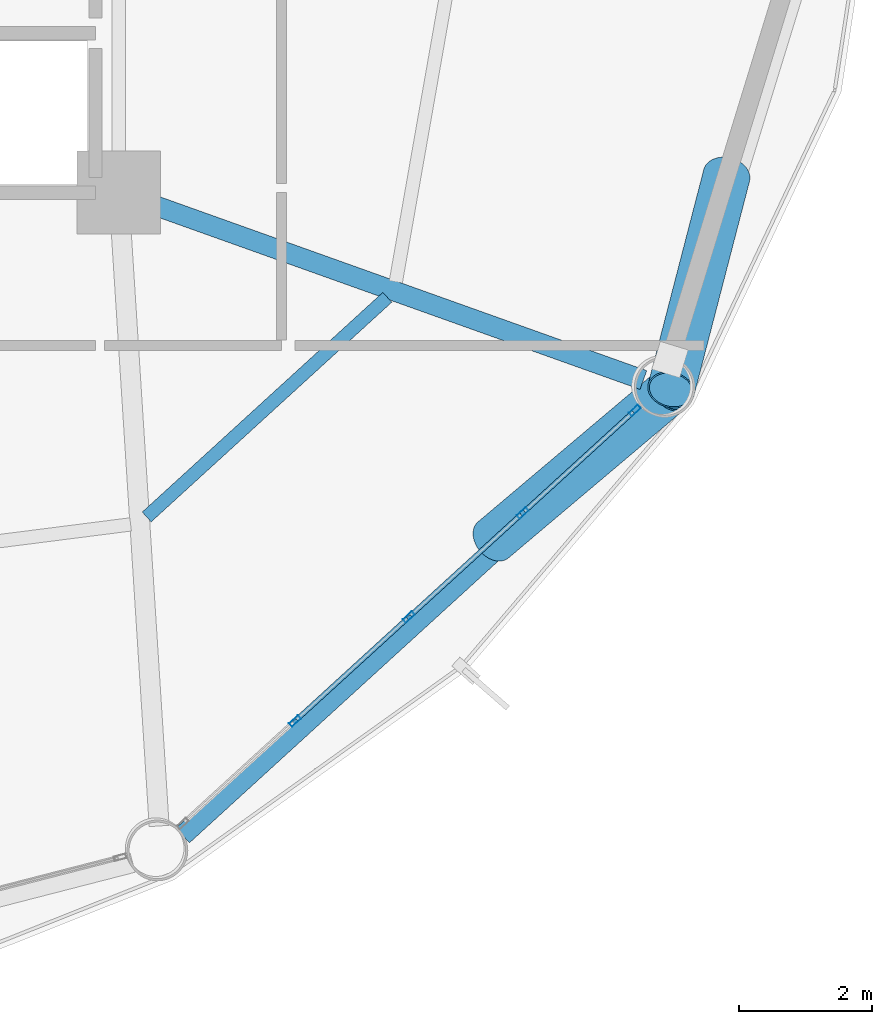
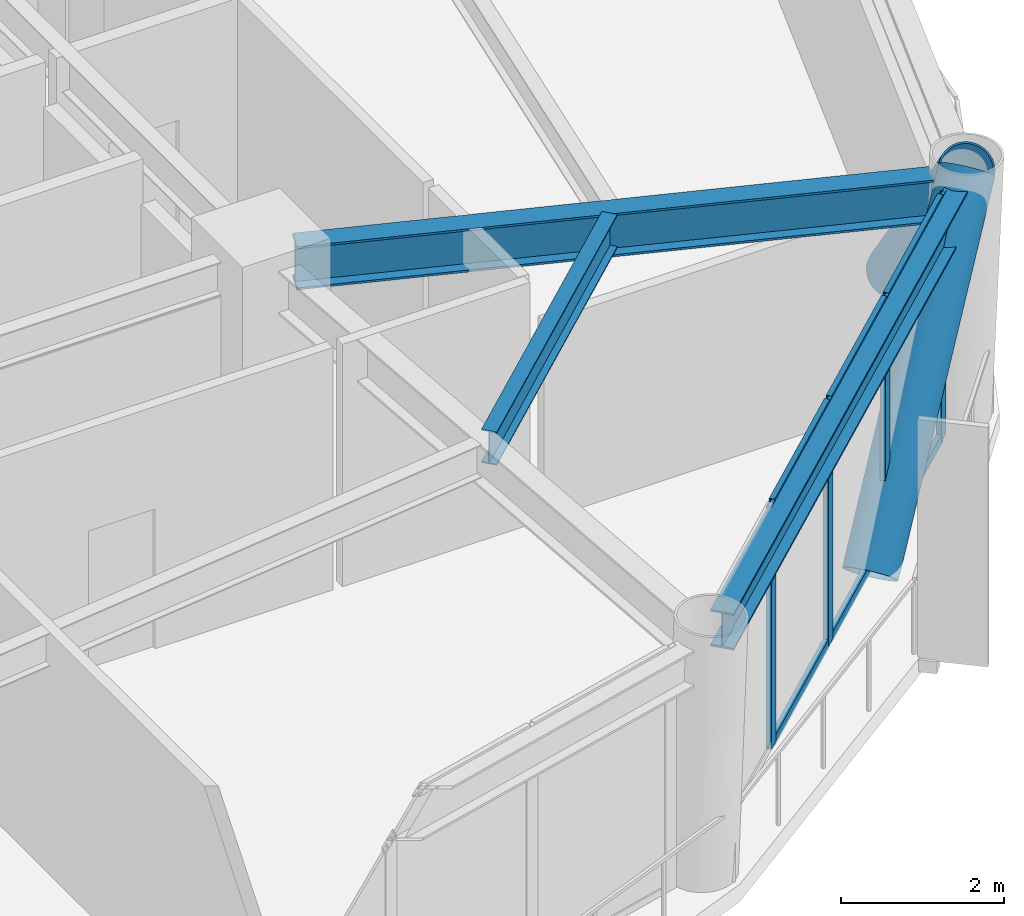
# One storey, part 14 of 26: 12 members, 3 beams, 1 element without a shape of its own.
"""IFC4 building model written with IfcOpenShell, lengths in metres."""

import ifcopenshell
import ifcopenshell.guid

model = None  # the IFC model being written
_history = None  # IfcOwnerHistory: only IFC2X3 demands one
_inside = {}  # id of a spatial element -> (the spatial element, [elements in it])
_under = {}  # id of a project, library or spatial element -> (it, [spatial elements below it])
_declared = {}  # id of a project -> (the project, [libraries it declares])
_typed = {}  # id of a type object -> (the type object, [elements of that type])
_made_of = {}  # id of a material, layer set ... -> (it, [elements and type objects made of it])


def new_model(schema):
    """Start an empty IFC model of exactly this schema.

    Asked for "IFC4X3", IfcOpenShell would pick the latest addendum, in which some entities
    have other attributes; the version numbers below select the first issue.
    IFC2X3 requires an IfcOwnerHistory on every rooted entity: one is made here for all.
    """
    global model, _history
    if schema == "IFC4X3":
        model = ifcopenshell.file(schema_version=(4, 3, 0, 0))
    else:
        model = ifcopenshell.file(schema=schema)
    _inside.clear()
    _under.clear()
    _declared.clear()
    _typed.clear()
    _made_of.clear()
    _history = None
    if model.schema == "IFC2X3":
        org = make("IfcOrganization", Name="unknown")
        user = make(
            "IfcPersonAndOrganization",
            ThePerson=make("IfcPerson", FamilyName="unknown"),
            TheOrganization=org,
        )
        app = make(
            "IfcApplication",
            ApplicationDeveloper=org,
            Version="unknown",
            ApplicationFullName="unknown",
            ApplicationIdentifier="unknown",
        )
        _history = make(
            "IfcOwnerHistory",
            OwningUser=user,
            OwningApplication=app,
            ChangeAction="ADDED",
            CreationDate=0,
        )
    return model


def make(cls, **values):
    """One entity of the class cls with the attributes given. An attribute that is None is left unset."""
    return model.create_entity(
        cls, **{name: value for name, value in values.items() if value is not None}
    )


def rooted(cls, **values):
    """An entity with a GlobalId (a new one), such as an element, a storey or a relation."""
    return make(cls, GlobalId=ifcopenshell.guid.new(), OwnerHistory=_history, **values)


def si_unit(unit_type, name, prefix=None):
    """IfcSIUnit, for example si_unit("LENGTHUNIT", "METRE", prefix="MILLI")."""
    return make("IfcSIUnit", UnitType=unit_type, Prefix=prefix, Name=name)


def assignment(units):
    """IfcUnitAssignment: the units of a project."""
    return None if units is None else make("IfcUnitAssignment", Units=units)


def point(xyz):
    """IfcCartesianPoint."""
    return None if xyz is None else make("IfcCartesianPoint", Coordinates=xyz)


def direction(xyz):
    """IfcDirection."""
    return None if xyz is None else make("IfcDirection", DirectionRatios=xyz)


def frame(location, z_axis=None, x_axis=None):
    """IfcAxis2Placement3D, a coordinate frame: its origin and axes. An axis left out is left unset."""
    return make(
        "IfcAxis2Placement3D",
        Location=point(location),
        Axis=direction(z_axis),
        RefDirection=direction(x_axis),
    )


def frame_2d(location, x_axis=None):
    """IfcAxis2Placement2D, a coordinate frame in the plane: its origin and x axis."""
    return make(
        "IfcAxis2Placement2D", Location=point(location), RefDirection=direction(x_axis)
    )


def origin():
    """The frame at (0, 0, 0) with its axes left unset."""
    return frame((0.0, 0.0, 0.0))


def origin_2d():
    """The frame at (0, 0) in the plane with its x axis left unset."""
    return frame_2d((0.0, 0.0))


def place(relative_to, where):
    """IfcLocalPlacement: puts the frame where relative to a parent placement (None: the world)."""
    return make(
        "IfcLocalPlacement", PlacementRelTo=relative_to, RelativePlacement=where
    )


def context(
    kind, dimensions, precision=None, world=None, true_north=None, identifier=None
):
    """IfcGeometricRepresentationContext, for example the 3D "Model" context."""
    return make(
        "IfcGeometricRepresentationContext",
        ContextIdentifier=identifier,
        ContextType=kind,
        CoordinateSpaceDimension=dimensions,
        Precision=precision,
        WorldCoordinateSystem=world,
        TrueNorth=true_north,
    )


def subcontext(parent, identifier, kind, view, scale=None):
    """IfcGeometricRepresentationSubContext, for example "Body" below "Model"."""
    return make(
        "IfcGeometricRepresentationSubContext",
        ContextIdentifier=identifier,
        ContextType=kind,
        ParentContext=parent,
        TargetScale=scale,
        TargetView=view,
    )


def project(units=None, contexts=None):
    """IfcProject with its units and contexts."""
    return rooted(
        "IfcProject",
        Name="project",
        RepresentationContexts=contexts,
        UnitsInContext=assignment(units),
    )


def spatial(cls, under=None, at=None, **own):
    """A site, building, storey or space (cls), placed at a placement, below another one or the project."""
    s = rooted(cls, ObjectPlacement=at, **own)
    if under is not None:
        _under.setdefault(under.id(), (under, []))[1].append(s)
    return s


def profile(cls, at=None, kind="AREA", **sizes):
    """A parametric profile (cls). Its sizes go by their IFC names, for example OverallWidth=200.0."""
    return make(cls, ProfileType=kind, Position=at, **sizes)


def hollow_rectangle(**sizes):
    """IfcRectangleHollowProfileDef."""
    return profile("IfcRectangleHollowProfileDef", **sizes)


def hollow_circle(**sizes):
    """IfcCircleHollowProfileDef."""
    return profile("IfcCircleHollowProfileDef", **sizes)


def i_section(**sizes):
    """IfcIShapeProfileDef."""
    return profile("IfcIShapeProfileDef", **sizes)


def extrude(swept, where, along, depth):
    """IfcExtrudedAreaSolid: the profile swept, set in the frame where, extruded along a direction by depth."""
    return make(
        "IfcExtrudedAreaSolid",
        SweptArea=swept,
        Position=where,
        ExtrudedDirection=direction(along),
        Depth=depth,
    )


def shape(context_of_items, identifier, shape_type, items):
    """IfcShapeRepresentation: the items that make up one representation, for example the "Body"."""
    return make(
        "IfcShapeRepresentation",
        ContextOfItems=context_of_items,
        RepresentationIdentifier=identifier,
        RepresentationType=shape_type,
        Items=items,
    )


def material(Name=None, Category=None):
    """IfcMaterial."""
    return make("IfcMaterial", Name=Name, Category=Category)


def layer(
    of_material, thickness, ventilated=None, Name=None, Category=None, Priority=None
):
    """IfcMaterialLayer: one layer of a wall or slab, of a material (None: an air gap)."""
    return make(
        "IfcMaterialLayer",
        Material=of_material,
        LayerThickness=thickness,
        IsVentilated=ventilated,
        Name=Name,
        Category=Category,
        Priority=Priority,
    )


def layer_set(layers, Name=None):
    """IfcMaterialLayerSet."""
    return make("IfcMaterialLayerSet", MaterialLayers=layers, LayerSetName=Name)


def material_profile(
    of_material, cross_section, Name=None, Category=None, Priority=None
):
    """IfcMaterialProfile: a cross section and its material."""
    return make(
        "IfcMaterialProfile",
        Name=Name,
        Material=of_material,
        Profile=cross_section,
        Priority=Priority,
        Category=Category,
    )


def profile_set(profiles, Name=None, composite=None):
    """IfcMaterialProfileSet."""
    return make(
        "IfcMaterialProfileSet",
        Name=Name,
        MaterialProfiles=profiles,
        CompositeProfile=composite,
    )


def made_of(thing, what):
    """Note that an element or type object is made of a material, layer set ...; save() writes the relation."""
    if what is not None:
        _made_of.setdefault(what.id(), (what, []))[1].append(thing)
    return thing


def type_object(cls, material=None, **own):
    """A type object (cls), such as IfcWallType, which elements share."""
    return made_of(rooted(cls, **own), material)


def element(
    cls,
    number,
    at=None,
    inside=None,
    cuts=None,
    type_object=None,
    material=None,
    context=None,
    identifier="Body",
    shape_type=None,
    held_by="IfcProductDefinitionShape",
    body=None,
    shapes=None,
    **own,
):
    """One element of the class cls, such as IfcWall. Its Tag is "e" and its number.

    at: its placement. inside: the storey or other place that contains it. cuts: it is an
    opening in that element (IfcRelVoidsElement). A single representation is given by context,
    identifier, shape_type and body (its items); several are given by shapes. held_by: the class
    of the entity that holds the representations. save() writes the other relations.
    """
    e = rooted(cls, Tag="e%d" % number, ObjectPlacement=at, **own)
    if body is not None:
        shapes = [shape(context, identifier, shape_type, body)]
    if shapes is not None:
        e.Representation = make(held_by, Representations=shapes)
    if inside is not None:
        _inside.setdefault(inside.id(), (inside, []))[1].append(e)
    if cuts is not None:
        rooted(
            "IfcRelVoidsElement", RelatingBuildingElement=cuts, RelatedOpeningElement=e
        )
    if type_object is not None:
        _typed.setdefault(type_object.id(), (type_object, []))[1].append(e)
    return made_of(e, material)


def aggregate(whole, parts):
    """IfcRelAggregates: a whole, such as a stair, and the parts it consists of."""
    return rooted("IfcRelAggregates", RelatingObject=whole, RelatedObjects=parts)


def save(model, path):
    """Write the relations noted so far, then the file.

    IfcRelAggregates (storeys below a building ...), IfcRelContainedInSpatialStructure (elements
    in a storey), IfcRelDefinesByType, IfcRelAssociatesMaterial and IfcRelDeclares: one each for
    every whole, place, type object, material and project.
    """
    for whole, parts in _under.values():
        aggregate(whole, parts)
    for where, things in _inside.values():
        rooted(
            "IfcRelContainedInSpatialStructure",
            RelatedElements=things,
            RelatingStructure=where,
        )
    for kind, things in _typed.values():
        rooted("IfcRelDefinesByType", RelatedObjects=things, RelatingType=kind)
    for what, things in _made_of.values():
        rooted("IfcRelAssociatesMaterial", RelatedObjects=things, RelatingMaterial=what)
    for by, libraries in _declared.values():
        rooted("IfcRelDeclares", RelatingContext=by, RelatedDefinitions=libraries)
    model.write(path)


model = new_model("IFC4")

# Units and contexts
model_context = context("Model", 3, precision=1e-05, world=origin(), true_north=direction((0.0, 1.0)))
body_context = subcontext(model_context, "Body", "Model", "MODEL_VIEW")
ifc_project = project(units=[si_unit("LENGTHUNIT", "METRE"), si_unit("AREAUNIT", "SQUARE_METRE"), si_unit("VOLUMEUNIT", "CUBIC_METRE"), si_unit("PLANEANGLEUNIT", "RADIAN"), si_unit("MASSUNIT", "GRAM", prefix="KILO")], contexts=[model_context])

# Site, building, storey
site_placement = place(None, origin())
site = spatial("IfcSite", under=ifc_project, at=site_placement, CompositionType="ELEMENT")
building_placement = place(site_placement, origin())
building = spatial("IfcBuilding", under=site, at=building_placement, Name="Varnakorn Sky Granary", CompositionType="ELEMENT")
storey_placement = place(building_placement, frame((0.0, 0.0, 47.10009765625)))
storey = spatial("IfcBuildingStorey", under=building, at=storey_placement, Name="L11", CompositionType="ELEMENT", Elevation=47.10009765625)

# Beams
ifc_material_1 = material(Name="Steel S355JR", Category="steel")
ifc_material_profile_1 = material_profile(ifc_material_1, i_section(OverallWidth=0.300048828125, OverallDepth=0.64990234375, WebThickness=0.01611328125, FlangeThickness=0.031005859375, at=origin_2d()), Name="HE 650 B")
ifc_profile_set_1 = profile_set([ifc_material_profile_1], Name="Steel S355JR")
beam_type_1 = type_object("IfcBeamType", Name="BM-RAD-Z1", PredefinedType="BEAM", material=ifc_profile_set_1)
beam_1_placement = place(storey_placement, frame((8.74560546875, -6.7412109375, 3.31494140625), z_axis=(0.941737750952, -0.336348046571, 0.0), x_axis=(0.336348046571, 0.941737750952, 0.0)))
element("IfcBeam", 1, at=beam_1_placement, inside=storey, type_object=beam_type_1, Name="Radial Floor Girder RG12 L11", PredefinedType="BEAM", context=body_context, shape_type="SweptSolid", body=[
    extrude(i_section(OverallWidth=0.300048828125, OverallDepth=0.64990234375, WebThickness=0.01611328125, FlangeThickness=0.031005859375, at=origin_2d()), origin(), (0.0, 0.0, 1.0), 7.965576171875),
])
ifc_material_profile_2 = material_profile(ifc_material_1, i_section(OverallWidth=0.199951171875, OverallDepth=0.5, WebThickness=0.01025390625, FlangeThickness=0.01611328125, at=origin_2d()), Name="IPE 500")
ifc_profile_set_2 = profile_set([ifc_material_profile_2], Name="Steel S355JR")
beam_type_2 = type_object("IfcBeamType", Name="BM-SEC-Z1", PredefinedType="BEAM", material=ifc_profile_set_2)
beam_2_placement = place(storey_placement, frame((8.77099609375, -11.481689453125, 3.389892578125), z_axis=(0.738535069927, 0.674215062489, 0.0), x_axis=(-0.674215062489, 0.738535069927, 0.0)))
element("IfcBeam", 2, at=beam_2_placement, inside=storey, type_object=beam_type_2, Name="Secondary Floor Chord Beam MSB11 L11", PredefinedType="BEAM", context=body_context, shape_type="SweptSolid", body=[
    extrude(i_section(OverallWidth=0.199951171875, OverallDepth=0.5, WebThickness=0.01025390625, FlangeThickness=0.01611328125, at=origin_2d()), origin(), (0.0, 0.0, 1.0), 4.904052734375),
])
ifc_material_profile_3 = material_profile(ifc_material_1, i_section(OverallWidth=0.300048828125, OverallDepth=0.550048828125, WebThickness=0.014892578125, FlangeThickness=0.029052734375, at=origin_2d()), Name="HE 550 B")
ifc_profile_set_3 = profile_set([ifc_material_profile_3], Name="Steel S355JR")
beam_type_3 = type_object("IfcBeamType", Name="BM-SPD-Z1", PredefinedType="SPANDREL", material=ifc_profile_set_3)
beam_3_placement = place(storey_placement, frame((9.31298828125, -16.276123046875, 3.364990234375), z_axis=(0.73868168788, 0.674054422129, 0.0), x_axis=(-0.674054422129, 0.73868168788, 0.0)))
element("IfcBeam", 3, at=beam_3_placement, inside=storey, type_object=beam_type_3, Name="Perimeter Spandrel Ring Beam RB11 L11", PredefinedType="SPANDREL", context=body_context, shape_type="SweptSolid", body=[
    extrude(i_section(OverallWidth=0.300048828125, OverallDepth=0.550048828125, WebThickness=0.014892578125, FlangeThickness=0.029052734375, at=origin_2d()), origin(), (0.0, 0.0, 1.0), 9.50830078125),
])

# Curtain wall, members
ifc_material_2 = material(Name="Anodised Bronze Aluminium Alloy 6063-T6", Category="aluminium")
ifc_layer = layer(ifc_material_2, 0.18994140625, Name="Anodised Bronze Aluminium Alloy 6063-T6")
ifc_layer_set = layer_set([ifc_layer], Name="Anodised Bronze Aluminium Alloy 6063-T6")
curtain_wall_type = type_object("IfcCurtainWallType", Name="CW-FRM-1", PredefinedType="USERDEFINED", material=ifc_layer_set)
curtain_wall_placement = place(storey_placement, origin())
curtain_wall = element("IfcCurtainWall", 4, at=curtain_wall_placement, inside=storey, type_object=curtain_wall_type, Name="Unitised Curtain Wall CW3 CW-L11-B11", ObjectType="CURTAIN WALL", PredefinedType="USERDEFINED")
ifc_material_profile_4 = material_profile(ifc_material_2, hollow_rectangle(XDim=0.070068359375, YDim=0.18505859375, WallThickness=0.00390625, at=origin_2d()), Name="ALU MULL 70x185")
ifc_profile_set_4 = profile_set([ifc_material_profile_4], Name="Anodised Bronze Aluminium Alloy 6063-T6")
member_type_1 = type_object("IfcMemberType", Name="CW-FRM-1-MULL", PredefinedType="MULLION", material=ifc_profile_set_4)
member_1_placement = place(storey_placement, frame((16.11865234375, -9.8798828125, 0.0), z_axis=(0.0, 0.0, 1.0), x_axis=(0.674464438954, -0.738307334777, 0.0)))
member_1 = element("IfcMember", 5, at=member_1_placement, type_object=member_type_1, Name="CW3 mullion 1", PredefinedType="MULLION", context=body_context, shape_type="SweptSolid", body=[
    extrude(hollow_rectangle(XDim=0.070068359375, YDim=0.18505859375, WallThickness=0.00390625, at=origin_2d()), origin(), (0.0, 0.0, 1.0), 3.639892578125),
])
member_2_placement = place(storey_placement, frame((14.4306640625, -11.421875, 0.0), z_axis=(0.0, 0.0, 1.0), x_axis=(0.674464438954, -0.738307334777, 0.0)))
member_2 = element("IfcMember", 6, at=member_2_placement, type_object=member_type_1, Name="CW3 mullion 2", PredefinedType="MULLION", context=body_context, shape_type="SweptSolid", body=[
    extrude(hollow_rectangle(XDim=0.070068359375, YDim=0.18505859375, WallThickness=0.00390625, at=origin_2d()), origin(), (0.0, 0.0, 1.0), 3.639892578125),
])
member_3_placement = place(storey_placement, frame((12.716796875, -12.987548828125, 0.0), z_axis=(0.0, 0.0, 1.0), x_axis=(0.674464438954, -0.738307334777, 0.0)))
member_3 = element("IfcMember", 7, at=member_3_placement, type_object=member_type_1, Name="CW3 mullion 3", PredefinedType="MULLION", context=body_context, shape_type="SweptSolid", body=[
    extrude(hollow_rectangle(XDim=0.070068359375, YDim=0.18505859375, WallThickness=0.00390625, at=origin_2d()), origin(), (0.0, 0.0, 1.0), 3.639892578125),
])
member_4_placement = place(storey_placement, frame((11.0029296875, -14.55322265625, 0.0), z_axis=(0.0, 0.0, 1.0), x_axis=(0.674464438954, -0.738307334777, 0.0)))
member_4 = element("IfcMember", 8, at=member_4_placement, type_object=member_type_1, Name="CW3 mullion 4", PredefinedType="MULLION", context=body_context, shape_type="SweptSolid", body=[
    extrude(hollow_rectangle(XDim=0.070068359375, YDim=0.18505859375, WallThickness=0.00390625, at=origin_2d()), origin(), (0.0, 0.0, 1.0), 3.639892578125),
])
ifc_material_profile_5 = material_profile(ifc_material_2, hollow_rectangle(XDim=0.070068359375, YDim=0.139892578125, WallThickness=0.00341796875, at=origin_2d()), Name="ALU TRAN 70x140")
ifc_profile_set_5 = profile_set([ifc_material_profile_5], Name="Anodised Bronze Aluminium Alloy 6063-T6")
member_type_2 = type_object("IfcMemberType", Name="CW-FRM-1-TRAN", PredefinedType="USERDEFINED", material=ifc_profile_set_5)
member_5_placement = place(storey_placement, frame((16.093017578125, -9.9033203125, 0.034912109375), z_axis=(-0.738328085792, -0.674441723005, 0.0), x_axis=(0.674441723005, -0.738328085792, 0.0)))
member_5 = element("IfcMember", 9, at=member_5_placement, type_object=member_type_2, Name="CW3 transom 1.1", ObjectType="TRANSOM", PredefinedType="USERDEFINED", context=body_context, shape_type="SweptSolid", body=[
    extrude(hollow_rectangle(XDim=0.070068359375, YDim=0.139892578125, WallThickness=0.00341796875, at=origin_2d()), origin(), (0.0, 0.0, 1.0), 2.216552734375),
])
member_6_placement = place(storey_placement, frame((16.093017578125, -9.9033203125, 3.60498046875), z_axis=(-0.738328085792, -0.674441723005, 0.0), x_axis=(0.674441723005, -0.738328085792, 0.0)))
member_6 = element("IfcMember", 10, at=member_6_placement, type_object=member_type_2, Name="CW3 transom 1.2", ObjectType="TRANSOM", PredefinedType="USERDEFINED", context=body_context, shape_type="SweptSolid", body=[
    extrude(hollow_rectangle(XDim=0.070068359375, YDim=0.139892578125, WallThickness=0.00341796875, at=origin_2d()), origin(), (0.0, 0.0, 1.0), 2.216552734375),
])
member_7_placement = place(storey_placement, frame((14.405029296875, -11.445556640625, 0.034912109375), z_axis=(-0.738372794712, -0.674392775784, 0.0), x_axis=(0.674392775784, -0.738372794712, 0.0)))
member_7 = element("IfcMember", 11, at=member_7_placement, type_object=member_type_2, Name="CW3 transom 2.1", ObjectType="TRANSOM", PredefinedType="USERDEFINED", context=body_context, shape_type="SweptSolid", body=[
    extrude(hollow_rectangle(XDim=0.070068359375, YDim=0.139892578125, WallThickness=0.00341796875, at=origin_2d()), origin(), (0.0, 0.0, 1.0), 2.25146484375),
])
member_8_placement = place(storey_placement, frame((14.405029296875, -11.445556640625, 3.60498046875), z_axis=(-0.738372794712, -0.674392775784, 0.0), x_axis=(0.674392775784, -0.738372794712, 0.0)))
member_8 = element("IfcMember", 12, at=member_8_placement, type_object=member_type_2, Name="CW3 transom 2.2", ObjectType="TRANSOM", PredefinedType="USERDEFINED", context=body_context, shape_type="SweptSolid", body=[
    extrude(hollow_rectangle(XDim=0.070068359375, YDim=0.139892578125, WallThickness=0.00341796875, at=origin_2d()), origin(), (0.0, 0.0, 1.0), 2.25146484375),
])
member_9_placement = place(storey_placement, frame((12.691162109375, -13.010986328125, 0.034912109375), z_axis=(-0.738318797887, -0.674451890565, 0.0), x_axis=(0.674451890565, -0.738318797887, 0.0)))
member_9 = element("IfcMember", 13, at=member_9_placement, type_object=member_type_2, Name="CW3 transom 3.1", ObjectType="TRANSOM", PredefinedType="USERDEFINED", context=body_context, shape_type="SweptSolid", body=[
    extrude(hollow_rectangle(XDim=0.070068359375, YDim=0.139892578125, WallThickness=0.00341796875, at=origin_2d()), origin(), (0.0, 0.0, 1.0), 2.25146484375),
])
member_10_placement = place(storey_placement, frame((12.691162109375, -13.010986328125, 3.60498046875), z_axis=(-0.738318797887, -0.674451890565, 0.0), x_axis=(0.674451890565, -0.738318797887, 0.0)))
member_10 = element("IfcMember", 14, at=member_10_placement, type_object=member_type_2, Name="CW3 transom 3.2", ObjectType="TRANSOM", PredefinedType="USERDEFINED", context=body_context, shape_type="SweptSolid", body=[
    extrude(hollow_rectangle(XDim=0.070068359375, YDim=0.139892578125, WallThickness=0.00341796875, at=origin_2d()), origin(), (0.0, 0.0, 1.0), 2.25146484375),
])
aggregate(curtain_wall, [member_1, member_2, member_3, member_4, member_5, member_6, member_7, member_8, member_9, member_10])

# Members
ifc_material_3 = material(Name="Steel S460M", Category="steel")
ifc_material_profile_6 = material_profile(ifc_material_3, hollow_circle(Radius=0.35546875, WallThickness=0.02490234375, at=origin_2d()), Name="CHS 711x25")
ifc_profile_set_6 = profile_set([ifc_material_profile_6], Name="Steel S460M")
member_type_3 = type_object("IfcMemberType", Name="MB-DIAG-T0", PredefinedType="BRACE", material=ifc_profile_set_6)
member_11_placement = place(storey_placement, frame((13.98681640625, -11.827392578125, -0.130126953125), z_axis=(0.52012613999, 0.438894982203, 0.732693655695), x_axis=(-0.644904028453, 0.764263563233, 0.0)))
element("IfcMember", 15, at=member_11_placement, inside=storey, type_object=member_type_3, Name="Perimeter CHS Diagrid Brace DG11 L11", PredefinedType="BRACE", context=body_context, shape_type="SweptSolid", body=[
    extrude(hollow_circle(Radius=0.35546875, WallThickness=0.02490234375, at=origin_2d()), origin(), (0.0, 0.0, 1.0), 5.1455078125),
])
member_12_placement = place(storey_placement, frame((17.5009765625, -6.33837890625, -0.130126953125), z_axis=(-0.166408674479, -0.64163344679, 0.748742060404), x_axis=(0.967975175618, -0.251045930833, 0.0)))
element("IfcMember", 16, at=member_12_placement, inside=storey, type_object=member_type_3, Name="Perimeter CHS Diagrid Brace DG12 L11", PredefinedType="BRACE", context=body_context, shape_type="SweptSolid", body=[
    extrude(hollow_circle(Radius=0.35546875, WallThickness=0.02490234375, at=origin_2d()), origin(), (0.0, 0.0, 1.0), 5.03515625),
])

save(model, "model.ifc")
